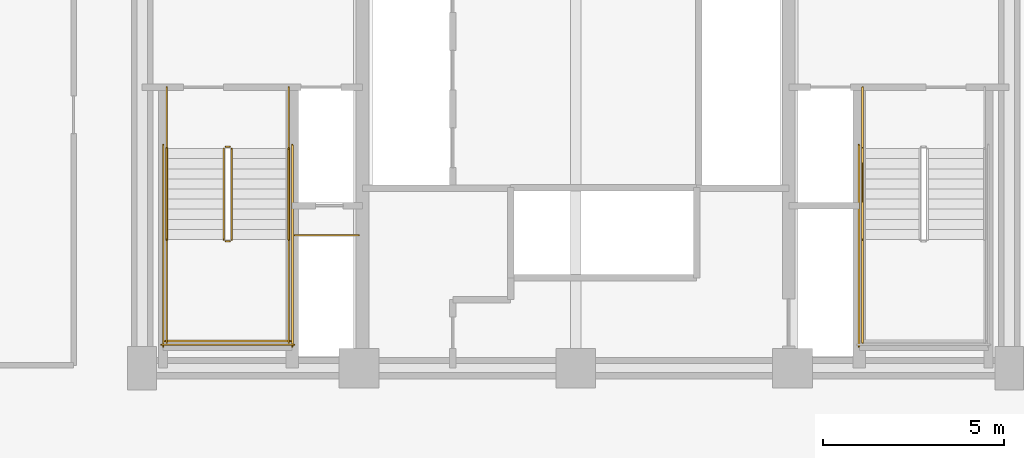
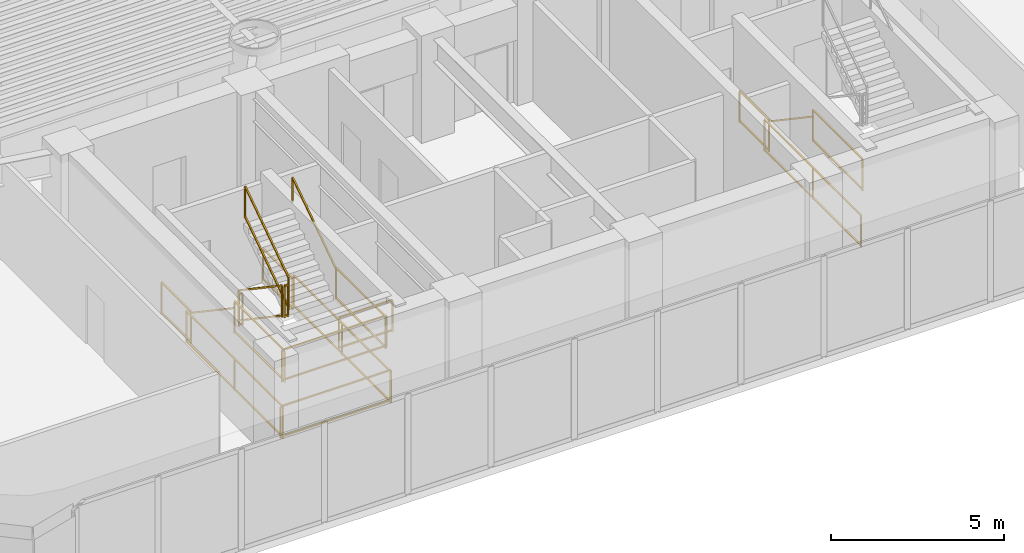
# One storey, part 14 of 17: 19 railings.
"""IFC4 building model written with IfcOpenShell, lengths in metres."""

import ifcopenshell
import ifcopenshell.guid

model = None  # the IFC model being written
_history = None  # IfcOwnerHistory: only IFC2X3 demands one
_inside = {}  # id of a spatial element -> (the spatial element, [elements in it])
_under = {}  # id of a project, library or spatial element -> (it, [spatial elements below it])
_declared = {}  # id of a project -> (the project, [libraries it declares])
_typed = {}  # id of a type object -> (the type object, [elements of that type])
_made_of = {}  # id of a material, layer set ... -> (it, [elements and type objects made of it])


def new_model(schema):
    """Start an empty IFC model of exactly this schema.

    Asked for "IFC4X3", IfcOpenShell would pick the latest addendum, in which some entities
    have other attributes; the version numbers below select the first issue.
    IFC2X3 requires an IfcOwnerHistory on every rooted entity: one is made here for all.
    """
    global model, _history
    if schema == "IFC4X3":
        model = ifcopenshell.file(schema_version=(4, 3, 0, 0))
    else:
        model = ifcopenshell.file(schema=schema)
    _inside.clear()
    _under.clear()
    _declared.clear()
    _typed.clear()
    _made_of.clear()
    _history = None
    if model.schema == "IFC2X3":
        org = make("IfcOrganization", Name="unknown")
        user = make(
            "IfcPersonAndOrganization",
            ThePerson=make("IfcPerson", FamilyName="unknown"),
            TheOrganization=org,
        )
        app = make(
            "IfcApplication",
            ApplicationDeveloper=org,
            Version="unknown",
            ApplicationFullName="unknown",
            ApplicationIdentifier="unknown",
        )
        _history = make(
            "IfcOwnerHistory",
            OwningUser=user,
            OwningApplication=app,
            ChangeAction="ADDED",
            CreationDate=0,
        )
    return model


def make(cls, **values):
    """One entity of the class cls with the attributes given. An attribute that is None is left unset."""
    return model.create_entity(
        cls, **{name: value for name, value in values.items() if value is not None}
    )


def rooted(cls, **values):
    """An entity with a GlobalId (a new one), such as an element, a storey or a relation."""
    return make(cls, GlobalId=ifcopenshell.guid.new(), OwnerHistory=_history, **values)


def si_unit(unit_type, name, prefix=None):
    """IfcSIUnit, for example si_unit("LENGTHUNIT", "METRE", prefix="MILLI")."""
    return make("IfcSIUnit", UnitType=unit_type, Prefix=prefix, Name=name)


def assignment(units):
    """IfcUnitAssignment: the units of a project."""
    return None if units is None else make("IfcUnitAssignment", Units=units)


def point(xyz):
    """IfcCartesianPoint."""
    return None if xyz is None else make("IfcCartesianPoint", Coordinates=xyz)


def direction(xyz):
    """IfcDirection."""
    return None if xyz is None else make("IfcDirection", DirectionRatios=xyz)


def frame(location, z_axis=None, x_axis=None):
    """IfcAxis2Placement3D, a coordinate frame: its origin and axes. An axis left out is left unset."""
    return make(
        "IfcAxis2Placement3D",
        Location=point(location),
        Axis=direction(z_axis),
        RefDirection=direction(x_axis),
    )


def frame_2d(location, x_axis=None):
    """IfcAxis2Placement2D, a coordinate frame in the plane: its origin and x axis."""
    return make(
        "IfcAxis2Placement2D", Location=point(location), RefDirection=direction(x_axis)
    )


def origin():
    """The frame at (0, 0, 0) with its axes left unset."""
    return frame((0.0, 0.0, 0.0))


def origin_2d():
    """The frame at (0, 0) in the plane with its x axis left unset."""
    return frame_2d((0.0, 0.0))


def place(relative_to, where):
    """IfcLocalPlacement: puts the frame where relative to a parent placement (None: the world)."""
    return make(
        "IfcLocalPlacement", PlacementRelTo=relative_to, RelativePlacement=where
    )


def context(
    kind, dimensions, precision=None, world=None, true_north=None, identifier=None
):
    """IfcGeometricRepresentationContext, for example the 3D "Model" context."""
    return make(
        "IfcGeometricRepresentationContext",
        ContextIdentifier=identifier,
        ContextType=kind,
        CoordinateSpaceDimension=dimensions,
        Precision=precision,
        WorldCoordinateSystem=world,
        TrueNorth=true_north,
    )


def subcontext(parent, identifier, kind, view, scale=None):
    """IfcGeometricRepresentationSubContext, for example "Body" below "Model"."""
    return make(
        "IfcGeometricRepresentationSubContext",
        ContextIdentifier=identifier,
        ContextType=kind,
        ParentContext=parent,
        TargetScale=scale,
        TargetView=view,
    )


def project(units=None, contexts=None):
    """IfcProject with its units and contexts."""
    return rooted(
        "IfcProject",
        Name="project",
        RepresentationContexts=contexts,
        UnitsInContext=assignment(units),
    )


def spatial(cls, under=None, at=None, **own):
    """A site, building, storey or space (cls), placed at a placement, below another one or the project."""
    s = rooted(cls, ObjectPlacement=at, **own)
    if under is not None:
        _under.setdefault(under.id(), (under, []))[1].append(s)
    return s


def profile(cls, at=None, kind="AREA", **sizes):
    """A parametric profile (cls). Its sizes go by their IFC names, for example OverallWidth=200.0."""
    return make(cls, ProfileType=kind, Position=at, **sizes)


def rectangle(**sizes):
    """IfcRectangleProfileDef."""
    return profile("IfcRectangleProfileDef", **sizes)


def extrude(swept, where, along, depth):
    """IfcExtrudedAreaSolid: the profile swept, set in the frame where, extruded along a direction by depth."""
    return make(
        "IfcExtrudedAreaSolid",
        SweptArea=swept,
        Position=where,
        ExtrudedDirection=direction(along),
        Depth=depth,
    )


def shape(context_of_items, identifier, shape_type, items):
    """IfcShapeRepresentation: the items that make up one representation, for example the "Body"."""
    return make(
        "IfcShapeRepresentation",
        ContextOfItems=context_of_items,
        RepresentationIdentifier=identifier,
        RepresentationType=shape_type,
        Items=items,
    )


def material(Name=None, Category=None):
    """IfcMaterial."""
    return make("IfcMaterial", Name=Name, Category=Category)


def layer(
    of_material, thickness, ventilated=None, Name=None, Category=None, Priority=None
):
    """IfcMaterialLayer: one layer of a wall or slab, of a material (None: an air gap)."""
    return make(
        "IfcMaterialLayer",
        Material=of_material,
        LayerThickness=thickness,
        IsVentilated=ventilated,
        Name=Name,
        Category=Category,
        Priority=Priority,
    )


def layer_set(layers, Name=None):
    """IfcMaterialLayerSet."""
    return make("IfcMaterialLayerSet", MaterialLayers=layers, LayerSetName=Name)


def made_of(thing, what):
    """Note that an element or type object is made of a material, layer set ...; save() writes the relation."""
    if what is not None:
        _made_of.setdefault(what.id(), (what, []))[1].append(thing)
    return thing


def type_object(cls, material=None, **own):
    """A type object (cls), such as IfcWallType, which elements share."""
    return made_of(rooted(cls, **own), material)


def element(
    cls,
    number,
    at=None,
    inside=None,
    cuts=None,
    type_object=None,
    material=None,
    context=None,
    identifier="Body",
    shape_type=None,
    held_by="IfcProductDefinitionShape",
    body=None,
    shapes=None,
    **own,
):
    """One element of the class cls, such as IfcWall. Its Tag is "e" and its number.

    at: its placement. inside: the storey or other place that contains it. cuts: it is an
    opening in that element (IfcRelVoidsElement). A single representation is given by context,
    identifier, shape_type and body (its items); several are given by shapes. held_by: the class
    of the entity that holds the representations. save() writes the other relations.
    """
    e = rooted(cls, Tag="e%d" % number, ObjectPlacement=at, **own)
    if body is not None:
        shapes = [shape(context, identifier, shape_type, body)]
    if shapes is not None:
        e.Representation = make(held_by, Representations=shapes)
    if inside is not None:
        _inside.setdefault(inside.id(), (inside, []))[1].append(e)
    if cuts is not None:
        rooted(
            "IfcRelVoidsElement", RelatingBuildingElement=cuts, RelatedOpeningElement=e
        )
    if type_object is not None:
        _typed.setdefault(type_object.id(), (type_object, []))[1].append(e)
    return made_of(e, material)


def aggregate(whole, parts):
    """IfcRelAggregates: a whole, such as a stair, and the parts it consists of."""
    return rooted("IfcRelAggregates", RelatingObject=whole, RelatedObjects=parts)


def save(model, path):
    """Write the relations noted so far, then the file.

    IfcRelAggregates (storeys below a building ...), IfcRelContainedInSpatialStructure (elements
    in a storey), IfcRelDefinesByType, IfcRelAssociatesMaterial and IfcRelDeclares: one each for
    every whole, place, type object, material and project.
    """
    for whole, parts in _under.values():
        aggregate(whole, parts)
    for where, things in _inside.values():
        rooted(
            "IfcRelContainedInSpatialStructure",
            RelatedElements=things,
            RelatingStructure=where,
        )
    for kind, things in _typed.values():
        rooted("IfcRelDefinesByType", RelatedObjects=things, RelatingType=kind)
    for what, things in _made_of.values():
        rooted("IfcRelAssociatesMaterial", RelatedObjects=things, RelatingMaterial=what)
    for by, libraries in _declared.values():
        rooted("IfcRelDeclares", RelatingContext=by, RelatedDefinitions=libraries)
    model.write(path)


model = new_model("IFC4")

# Units and contexts
model_context = context("Model", 3, precision=1e-05, world=origin(), true_north=direction((0.0, 1.0)))
body_context = subcontext(model_context, "Body", "Model", "MODEL_VIEW")
ifc_project = project(units=[si_unit("LENGTHUNIT", "METRE"), si_unit("AREAUNIT", "SQUARE_METRE"), si_unit("VOLUMEUNIT", "CUBIC_METRE"), si_unit("PLANEANGLEUNIT", "RADIAN"), si_unit("MASSUNIT", "GRAM", prefix="KILO")], contexts=[model_context])

# Site, building, storey
site_placement = place(None, origin())
site = spatial("IfcSite", under=ifc_project, at=site_placement, CompositionType="ELEMENT")
building_placement = place(site_placement, origin())
building = spatial("IfcBuilding", under=site, at=building_placement, Name="Brelvock Crest Care Tower", CompositionType="ELEMENT")
storey_placement = place(building_placement, frame((0.0, 0.0, 27.0)))
storey = spatial("IfcBuildingStorey", under=building, at=storey_placement, Name="L06", CompositionType="ELEMENT", Elevation=27.0)

# Railings
ifc_material = material(Name="Steel Grade 350", Category="steel")
ifc_layer_1 = layer(ifc_material, 0.050048828125, Name="RL-STG1")
ifc_layer_set_1 = layer_set([ifc_layer_1], Name="Steel Grade 350")
railing_type_1 = type_object("IfcRailingType", Name="RL-STG1", PredefinedType="GUARDRAIL", material=ifc_layer_set_1)
railing_1_placement = place(storey_placement, frame((26.260009765625, 12.080078125, 0.18896484375)))
element("IfcRailing", 1, at=railing_1_placement, inside=storey, type_object=railing_type_1, Name="L06 ST-1 stair guard 1", PredefinedType="GUARDRAIL", context=body_context, shape_type="SweptSolid", body=[
    extrude(rectangle(XDim=0.048095703125, YDim=0.048095703125, at=origin_2d()), frame((0.0, -0.001708984375, 1.116943359375), z_axis=(0.0, -0.828861706735, 0.559453546873), x_axis=(1.0, 0.0, 0.0)), (0.0, 0.0, 1.0), 3.036376953125),
    extrude(rectangle(XDim=0.048095703125, YDim=0.048095703125, at=origin_2d()), frame((0.0, -0.001708984375, 0.05615234375), z_axis=(0.0, -0.828861706735, 0.559453546873), x_axis=(1.0, 0.0, 0.0)), (0.0, 0.0, 1.0), 3.036376953125),
    extrude(rectangle(XDim=0.0419921875, YDim=0.0419921875, at=origin_2d()), origin(), (0.0, 0.0, 1.0), 1.08984375),
    extrude(rectangle(XDim=0.0419921875, YDim=0.0419921875, at=origin_2d()), frame((0.0, -2.52001953125, 1.700927734375)), (0.0, 0.0, 1.0), 1.08984375),
])
railing_2_placement = place(storey_placement, frame((26.31005859375, 9.510009765625, 1.889892578125)))
element("IfcRailing", 2, at=railing_2_placement, inside=storey, type_object=railing_type_1, Name="L06 ST-1 stair guard 2", PredefinedType="GUARDRAIL", context=body_context, shape_type="SweptSolid", body=[
    extrude(rectangle(XDim=0.048095703125, YDim=0.048095703125, at=origin_2d()), frame((0.001953125, 0.0, 1.11572265625), z_axis=(1.0, 0.0, 0.0), x_axis=(0.0, 1.0, 0.0)), (0.0, 0.0, 1.0), 0.115966796875),
    extrude(rectangle(XDim=0.048095703125, YDim=0.048095703125, at=origin_2d()), frame((0.001953125, 0.0, 0.054931640625), z_axis=(1.0, 0.0, 0.0), x_axis=(0.0, 1.0, 0.0)), (0.0, 0.0, 1.0), 0.115966796875),
    extrude(rectangle(XDim=0.0419921875, YDim=0.0419921875, at=origin_2d()), origin(), (0.0, 0.0, 1.0), 1.08984375),
    extrude(rectangle(XDim=0.0419921875, YDim=0.0419921875, at=origin_2d()), frame((0.119873046875, 0.0, 0.0)), (0.0, 0.0, 1.0), 1.08984375),
])
for number, where, name in (
    (3, (24.679931640625, 9.56005859375, 1.889892578125), "L06 ST-1 stair guard 3"),
    (4, (28.06005859375, 9.56005859375, 1.889892578125), "L06 ST-1 stair guard 4"),
):
    element("IfcRailing", number, at=place(storey_placement, frame(where)), inside=storey, type_object=railing_type_1, Name=name, PredefinedType="GUARDRAIL", context=body_context, shape_type="SweptSolid", body=[
        extrude(rectangle(XDim=0.048095703125, YDim=0.048095703125, at=origin_2d()), frame((0.0, -0.001953125, 1.11572265625), z_axis=(0.0, -1.0, 0.0), x_axis=(1.0, 0.0, 0.0)), (0.0, 0.0, 1.0), 2.856201171875),
        extrude(rectangle(XDim=0.048095703125, YDim=0.048095703125, at=origin_2d()), frame((0.0, -0.001953125, 0.054931640625), z_axis=(0.0, -1.0, 0.0), x_axis=(1.0, 0.0, 0.0)), (0.0, 0.0, 1.0), 2.856201171875),
        extrude(rectangle(XDim=0.0419921875, YDim=0.0419921875, at=origin_2d()), origin(), (0.0, 0.0, 1.0), 1.08984375),
        extrude(rectangle(XDim=0.0419921875, YDim=0.0419921875, at=origin_2d()), frame((0.0, -2.860107421875, 0.0)), (0.0, 0.0, 1.0), 1.08984375),
    ])
railing_3_placement = place(storey_placement, frame((24.6298828125, 6.75, 1.889892578125)))
element("IfcRailing", 5, at=railing_3_placement, inside=storey, type_object=railing_type_1, Name="L06 ST-1 stair guard 5", PredefinedType="GUARDRAIL", context=body_context, shape_type="SweptSolid", body=[
    extrude(rectangle(XDim=0.048095703125, YDim=0.048095703125, at=origin_2d()), frame((0.001953125, 0.0, 1.11572265625), z_axis=(1.0, 0.0, 0.0), x_axis=(0.0, 1.0, 0.0)), (0.0, 0.0, 1.0), 3.476318359375),
    extrude(rectangle(XDim=0.048095703125, YDim=0.048095703125, at=origin_2d()), frame((0.001953125, 0.0, 0.054931640625), z_axis=(1.0, 0.0, 0.0), x_axis=(0.0, 1.0, 0.0)), (0.0, 0.0, 1.0), 3.476318359375),
    extrude(rectangle(XDim=0.0419921875, YDim=0.0419921875, at=origin_2d()), origin(), (0.0, 0.0, 1.0), 1.08984375),
    extrude(rectangle(XDim=0.0419921875, YDim=0.0419921875, at=origin_2d()), frame((3.480224609375, 0.0, 0.0)), (0.0, 0.0, 1.0), 1.08984375),
])
railing_4_placement = place(storey_placement, frame((26.47998046875, 9.56005859375, 2.0791015625)))
element("IfcRailing", 6, at=railing_4_placement, inside=storey, type_object=railing_type_1, Name="L06 ST-1 stair guard 6", PredefinedType="GUARDRAIL", context=body_context, shape_type="SweptSolid", body=[
    extrude(rectangle(XDim=0.048095703125, YDim=0.048095703125, at=origin_2d()), frame((0.0, 0.001708984375, 1.116943359375), z_axis=(0.0, 0.828861706735, 0.559453546873), x_axis=(-1.0, 0.0, 0.0)), (0.0, 0.0, 1.0), 3.036376953125),
    extrude(rectangle(XDim=0.048095703125, YDim=0.048095703125, at=origin_2d()), frame((0.0, 0.001708984375, 0.05615234375), z_axis=(0.0, 0.828861706735, 0.559453546873), x_axis=(-1.0, 0.0, 0.0)), (0.0, 0.0, 1.0), 3.036376953125),
    extrude(rectangle(XDim=0.0419921875, YDim=0.0419921875, at=origin_2d()), origin(), (0.0, 0.0, 1.0), 1.08984375),
    extrude(rectangle(XDim=0.0419921875, YDim=0.0419921875, at=origin_2d()), frame((0.0, 2.52001953125, 1.700927734375)), (0.0, 0.0, 1.0), 1.08984375),
])
railing_5_placement = place(storey_placement, frame((26.31005859375, 12.1298828125, 0.0)))
element("IfcRailing", 7, at=railing_5_placement, inside=storey, type_object=railing_type_1, Name="L06 ST-1 stair guard 7", PredefinedType="GUARDRAIL", context=body_context, shape_type="SweptSolid", body=[
    extrude(rectangle(XDim=0.048095703125, YDim=0.048095703125, at=origin_2d()), frame((0.001953125, 0.0, 1.11572265625), z_axis=(1.0, 0.0, 0.0), x_axis=(0.0, 1.0, 0.0)), (0.0, 0.0, 1.0), 0.115966796875),
    extrude(rectangle(XDim=0.048095703125, YDim=0.048095703125, at=origin_2d()), frame((0.001953125, 0.0, 0.054931640625), z_axis=(1.0, 0.0, 0.0), x_axis=(0.0, 1.0, 0.0)), (0.0, 0.0, 1.0), 0.115966796875),
    extrude(rectangle(XDim=0.0419921875, YDim=0.0419921875, at=origin_2d()), origin(), (0.0, 0.0, 1.0), 1.08984375),
    extrude(rectangle(XDim=0.0419921875, YDim=0.0419921875, at=origin_2d()), frame((0.119873046875, 0.0, 0.0)), (0.0, 0.0, 1.0), 1.08984375),
])
for number, where, name in (
    (8, (24.679931640625, 13.780029296875, 0.0), "L06 ST-1 stair guard 8"),
    (9, (28.06005859375, 13.780029296875, 0.0), "L06 ST-1 stair guard 9"),
):
    element("IfcRailing", number, at=place(storey_placement, frame(where)), inside=storey, type_object=railing_type_1, Name=name, PredefinedType="GUARDRAIL", context=body_context, shape_type="SweptSolid", body=[
        extrude(rectangle(XDim=0.048095703125, YDim=0.048095703125, at=origin_2d()), frame((0.0, -0.001953125, 1.11572265625), z_axis=(0.0, -1.0, 0.0), x_axis=(1.0, 0.0, 0.0)), (0.0, 0.0, 1.0), 1.696044921875),
        extrude(rectangle(XDim=0.048095703125, YDim=0.048095703125, at=origin_2d()), frame((0.0, -0.001953125, 0.054931640625), z_axis=(0.0, -1.0, 0.0), x_axis=(1.0, 0.0, 0.0)), (0.0, 0.0, 1.0), 1.696044921875),
        extrude(rectangle(XDim=0.0419921875, YDim=0.0419921875, at=origin_2d()), origin(), (0.0, 0.0, 1.0), 1.08984375),
        extrude(rectangle(XDim=0.0419921875, YDim=0.0419921875, at=origin_2d()), frame((0.0, -1.699951171875, 0.0)), (0.0, 0.0, 1.0), 1.08984375),
    ])
for number, where, name in (
    (10, (24.580078125, 12.179931640625, 0.0), "L06 ST-1 stair guard 10"),
    (11, (28.159912109375, 12.179931640625, 0.0), "L06 ST-1 stair guard 11"),
):
    element("IfcRailing", number, at=place(storey_placement, frame(where)), inside=storey, type_object=railing_type_1, Name=name, PredefinedType="GUARDRAIL", context=body_context, shape_type="SweptSolid", body=[
        extrude(rectangle(XDim=0.048095703125, YDim=0.048095703125, at=origin_2d()), frame((0.0, -0.001953125, 1.11572265625), z_axis=(0.0, -1.0, 0.0), x_axis=(1.0, 0.0, 0.0)), (0.0, 0.0, 1.0), 5.575927734375),
        extrude(rectangle(XDim=0.048095703125, YDim=0.048095703125, at=origin_2d()), frame((0.0, -0.001953125, 0.054931640625), z_axis=(0.0, -1.0, 0.0), x_axis=(1.0, 0.0, 0.0)), (0.0, 0.0, 1.0), 5.575927734375),
        extrude(rectangle(XDim=0.0419921875, YDim=0.0419921875, at=origin_2d()), origin(), (0.0, 0.0, 1.0), 1.08984375),
        extrude(rectangle(XDim=0.0419921875, YDim=0.0419921875, at=origin_2d()), frame((0.0, -2.7900390625, 0.0)), (0.0, 0.0, 1.0), 1.08984375),
        extrude(rectangle(XDim=0.0419921875, YDim=0.0419921875, at=origin_2d()), frame((0.0, -5.579833984375, 0.0)), (0.0, 0.0, 1.0), 1.08984375),
    ])
railing_6_placement = place(storey_placement, frame((24.530029296875, 6.64990234375, 0.0)))
element("IfcRailing", 12, at=railing_6_placement, inside=storey, type_object=railing_type_1, Name="L06 ST-1 stair guard 12", PredefinedType="GUARDRAIL", context=body_context, shape_type="SweptSolid", body=[
    extrude(rectangle(XDim=0.048095703125, YDim=0.048095703125, at=origin_2d()), frame((0.001953125, 0.0, 1.11572265625), z_axis=(1.0, 0.0, 0.0), x_axis=(0.0, 1.0, 0.0)), (0.0, 0.0, 1.0), 3.676025390625),
    extrude(rectangle(XDim=0.048095703125, YDim=0.048095703125, at=origin_2d()), frame((0.001953125, 0.0, 0.054931640625), z_axis=(1.0, 0.0, 0.0), x_axis=(0.0, 1.0, 0.0)), (0.0, 0.0, 1.0), 3.676025390625),
    extrude(rectangle(XDim=0.0419921875, YDim=0.0419921875, at=origin_2d()), origin(), (0.0, 0.0, 1.0), 1.08984375),
    extrude(rectangle(XDim=0.0419921875, YDim=0.0419921875, at=origin_2d()), frame((3.679931640625, 0.0, 0.0)), (0.0, 0.0, 1.0), 1.08984375),
])
railing_7_placement = place(storey_placement, frame((43.93994140625, 9.56005859375, 1.889892578125)))
element("IfcRailing", 13, at=railing_7_placement, inside=storey, type_object=railing_type_1, Name="L06 ST-2 stair guard 3", PredefinedType="GUARDRAIL", context=body_context, shape_type="SweptSolid", body=[
    extrude(rectangle(XDim=0.048095703125, YDim=0.048095703125, at=origin_2d()), frame((0.0, -0.001953125, 1.11572265625), z_axis=(0.0, -1.0, 0.0), x_axis=(1.0, 0.0, 0.0)), (0.0, 0.0, 1.0), 2.856201171875),
    extrude(rectangle(XDim=0.048095703125, YDim=0.048095703125, at=origin_2d()), frame((0.0, -0.001953125, 0.054931640625), z_axis=(0.0, -1.0, 0.0), x_axis=(1.0, 0.0, 0.0)), (0.0, 0.0, 1.0), 2.856201171875),
    extrude(rectangle(XDim=0.0419921875, YDim=0.0419921875, at=origin_2d()), origin(), (0.0, 0.0, 1.0), 1.08984375),
    extrude(rectangle(XDim=0.0419921875, YDim=0.0419921875, at=origin_2d()), frame((0.0, -2.860107421875, 0.0)), (0.0, 0.0, 1.0), 1.08984375),
])
railing_8_placement = place(storey_placement, frame((43.93994140625, 13.780029296875, 0.0)))
element("IfcRailing", 14, at=railing_8_placement, inside=storey, type_object=railing_type_1, Name="L06 ST-2 stair guard 8", PredefinedType="GUARDRAIL", context=body_context, shape_type="SweptSolid", body=[
    extrude(rectangle(XDim=0.048095703125, YDim=0.048095703125, at=origin_2d()), frame((0.0, -0.001953125, 1.11572265625), z_axis=(0.0, -1.0, 0.0), x_axis=(1.0, 0.0, 0.0)), (0.0, 0.0, 1.0), 1.696044921875),
    extrude(rectangle(XDim=0.048095703125, YDim=0.048095703125, at=origin_2d()), frame((0.0, -0.001953125, 0.054931640625), z_axis=(0.0, -1.0, 0.0), x_axis=(1.0, 0.0, 0.0)), (0.0, 0.0, 1.0), 1.696044921875),
    extrude(rectangle(XDim=0.0419921875, YDim=0.0419921875, at=origin_2d()), origin(), (0.0, 0.0, 1.0), 1.08984375),
    extrude(rectangle(XDim=0.0419921875, YDim=0.0419921875, at=origin_2d()), frame((0.0, -1.699951171875, 0.0)), (0.0, 0.0, 1.0), 1.08984375),
])
railing_9_placement = place(storey_placement, frame((43.840087890625, 12.179931640625, 0.0)))
element("IfcRailing", 15, at=railing_9_placement, inside=storey, type_object=railing_type_1, Name="L06 ST-2 stair guard 10", PredefinedType="GUARDRAIL", context=body_context, shape_type="SweptSolid", body=[
    extrude(rectangle(XDim=0.048095703125, YDim=0.048095703125, at=origin_2d()), frame((0.0, -0.001953125, 1.11572265625), z_axis=(0.0, -1.0, 0.0), x_axis=(1.0, 0.0, 0.0)), (0.0, 0.0, 1.0), 5.575927734375),
    extrude(rectangle(XDim=0.048095703125, YDim=0.048095703125, at=origin_2d()), frame((0.0, -0.001953125, 0.054931640625), z_axis=(0.0, -1.0, 0.0), x_axis=(1.0, 0.0, 0.0)), (0.0, 0.0, 1.0), 5.575927734375),
    extrude(rectangle(XDim=0.0419921875, YDim=0.0419921875, at=origin_2d()), origin(), (0.0, 0.0, 1.0), 1.08984375),
    extrude(rectangle(XDim=0.0419921875, YDim=0.0419921875, at=origin_2d()), frame((0.0, -2.7900390625, 0.0)), (0.0, 0.0, 1.0), 1.08984375),
    extrude(rectangle(XDim=0.0419921875, YDim=0.0419921875, at=origin_2d()), frame((0.0, -5.579833984375, 0.0)), (0.0, 0.0, 1.0), 1.08984375),
])
railing_10_placement = place(storey_placement, frame((28.219970703125, 9.679931640625, 0.0)))
element("IfcRailing", 16, at=railing_10_placement, inside=storey, type_object=railing_type_1, Name="L06 Fire Riser Threshold Guard", PredefinedType="GUARDRAIL", context=body_context, shape_type="SweptSolid", body=[
    extrude(rectangle(XDim=0.048095703125, YDim=0.048095703125, at=origin_2d()), frame((0.001953125, 0.0, 1.11572265625), z_axis=(1.0, 0.0, 0.0), x_axis=(0.0, 1.0, 0.0)), (0.0, 0.0, 1.0), 1.776123046875),
    extrude(rectangle(XDim=0.048095703125, YDim=0.048095703125, at=origin_2d()), frame((0.001953125, 0.0, 0.054931640625), z_axis=(1.0, 0.0, 0.0), x_axis=(0.0, 1.0, 0.0)), (0.0, 0.0, 1.0), 1.776123046875),
    extrude(rectangle(XDim=0.0419921875, YDim=0.0419921875, at=origin_2d()), origin(), (0.0, 0.0, 1.0), 1.08984375),
    extrude(rectangle(XDim=0.0419921875, YDim=0.0419921875, at=origin_2d()), frame((1.780029296875, 0.0, 0.0)), (0.0, 0.0, 1.0), 1.08984375),
])
ifc_layer_2 = layer(ifc_material, 0.048095703125, Name="RL-STH1")
ifc_layer_set_2 = layer_set([ifc_layer_2], Name="Steel Grade 350")
railing_type_2 = type_object("IfcRailingType", Name="RL-STH1", PredefinedType="HANDRAIL", material=ifc_layer_set_2)
railing_11_placement = place(storey_placement, frame((24.679931640625, 12.080078125, 0.18896484375)))
element("IfcRailing", 17, at=railing_11_placement, inside=storey, type_object=railing_type_2, Name="L06 ST-1 stair handrail 1", PredefinedType="HANDRAIL", context=body_context, shape_type="SweptSolid", body=[
    extrude(rectangle(XDim=0.048095703125, YDim=0.048095703125, at=origin_2d()), frame((0.0, -0.001708984375, 0.876953125), z_axis=(0.0, -0.828861706735, 0.559453546873), x_axis=(1.0, 0.0, 0.0)), (0.0, 0.0, 1.0), 3.036376953125),
    extrude(rectangle(XDim=0.0419921875, YDim=0.0419921875, at=origin_2d()), origin(), (0.0, 0.0, 1.0), 0.849853515625),
    extrude(rectangle(XDim=0.0419921875, YDim=0.0419921875, at=origin_2d()), frame((0.0, -2.52001953125, 1.700927734375)), (0.0, 0.0, 1.0), 0.849853515625),
])
railing_12_placement = place(storey_placement, frame((28.06005859375, 9.56005859375, 2.0791015625)))
element("IfcRailing", 18, at=railing_12_placement, inside=storey, type_object=railing_type_2, Name="L06 ST-1 stair handrail 2", PredefinedType="HANDRAIL", context=body_context, shape_type="SweptSolid", body=[
    extrude(rectangle(XDim=0.048095703125, YDim=0.048095703125, at=origin_2d()), frame((0.0, 0.001708984375, 0.876953125), z_axis=(0.0, 0.828861706735, 0.559453546873), x_axis=(-1.0, 0.0, 0.0)), (0.0, 0.0, 1.0), 3.036376953125),
    extrude(rectangle(XDim=0.0419921875, YDim=0.0419921875, at=origin_2d()), origin(), (0.0, 0.0, 1.0), 0.849853515625),
    extrude(rectangle(XDim=0.0419921875, YDim=0.0419921875, at=origin_2d()), frame((0.0, 2.52001953125, 1.700927734375)), (0.0, 0.0, 1.0), 0.849853515625),
])
railing_13_placement = place(storey_placement, frame((43.93994140625, 12.080078125, 0.18896484375)))
element("IfcRailing", 19, at=railing_13_placement, inside=storey, type_object=railing_type_2, Name="L06 ST-2 stair handrail 1", PredefinedType="HANDRAIL", context=body_context, shape_type="SweptSolid", body=[
    extrude(rectangle(XDim=0.048095703125, YDim=0.048095703125, at=origin_2d()), frame((0.0, -0.001708984375, 0.876953125), z_axis=(0.0, -0.828861706735, 0.559453546873), x_axis=(1.0, 0.0, 0.0)), (0.0, 0.0, 1.0), 3.036376953125),
    extrude(rectangle(XDim=0.0419921875, YDim=0.0419921875, at=origin_2d()), origin(), (0.0, 0.0, 1.0), 0.849853515625),
    extrude(rectangle(XDim=0.0419921875, YDim=0.0419921875, at=origin_2d()), frame((0.0, -2.52001953125, 1.700927734375)), (0.0, 0.0, 1.0), 0.849853515625),
])

save(model, "model.ifc")
